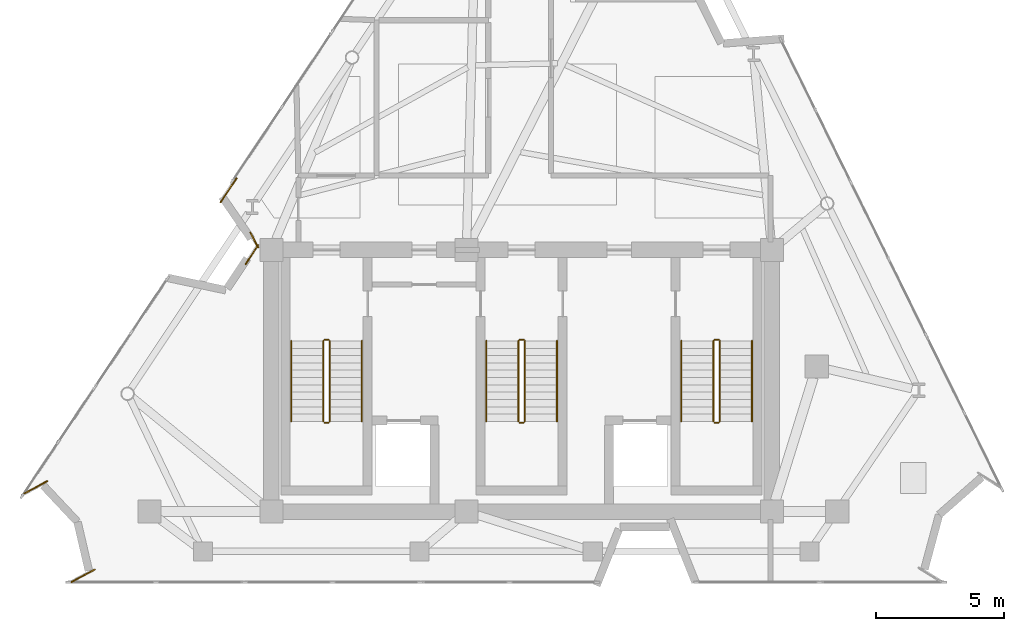
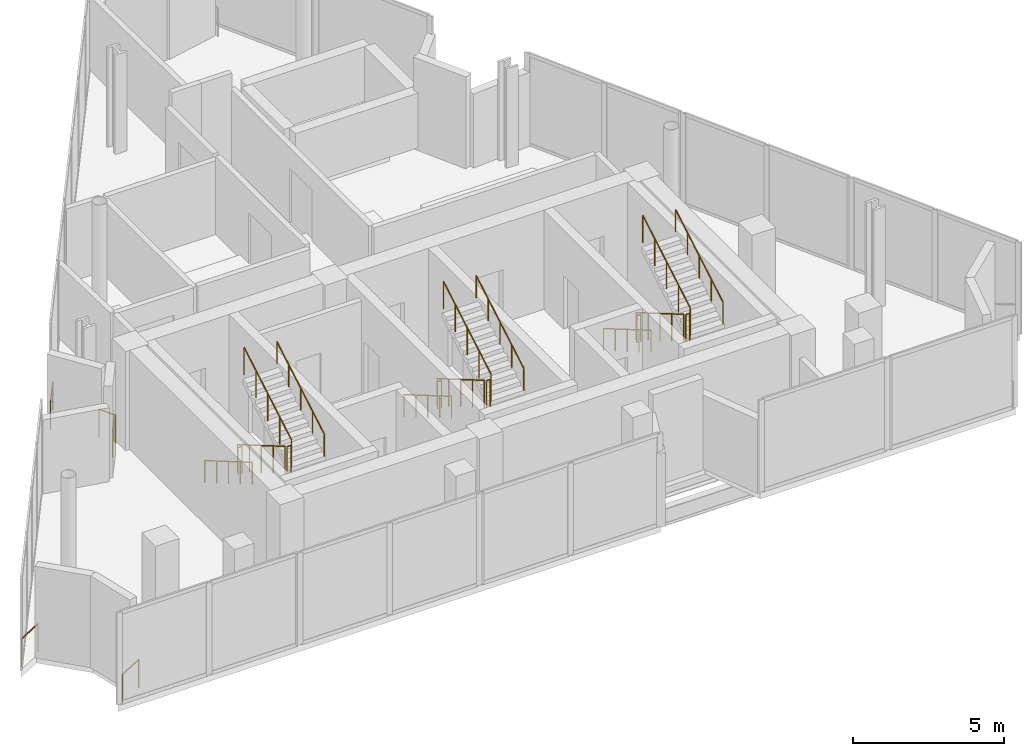
# One storey, part 8 of 9: 23 railings.
"""IFC4 building model written with IfcOpenShell, lengths in metres."""

from ifc_helpers import new_model, si_unit, direction, frame, origin, origin_2d, place, context, subcontext, project, spatial, circle, extrude, material, type_object, element, save


model = new_model("IFC4")

# Units and contexts
model_context = context("Model", 3, precision=1e-05, world=origin(), true_north=direction((0.0, 1.0)))
body_context = subcontext(model_context, "Body", "Model", "MODEL_VIEW")
ifc_project = project(units=[si_unit("LENGTHUNIT", "METRE"), si_unit("AREAUNIT", "SQUARE_METRE"), si_unit("VOLUMEUNIT", "CUBIC_METRE"), si_unit("PLANEANGLEUNIT", "RADIAN"), si_unit("MASSUNIT", "GRAM", prefix="KILO")], contexts=[model_context])

# Site, building, storey
site_placement = place(None, origin())
site = spatial("IfcSite", under=ifc_project, at=site_placement, CompositionType="ELEMENT")
building_placement = place(site_placement, origin())
building = spatial("IfcBuilding", under=site, at=building_placement, Name="Almagre Mirador Tower", CompositionType="ELEMENT")
storey_placement = place(building_placement, frame((0.0, 0.0, 306.5)))
storey = spatial("IfcBuildingStorey", under=building, at=storey_placement, Name="L79", CompositionType="ELEMENT", Elevation=306.5)

# Railings
ifc_material_1 = material(Name="Black anodized aluminium", Category="aluminium")
railing_type_1 = type_object("IfcRailingType", Name="RLG-BAL-1150", PredefinedType="BALUSTRADE", material=ifc_material_1)
railing_1_placement = place(storey_placement, frame((26.544921875, 14.189453125, 0.0)))
element("IfcRailing", 1, at=railing_1_placement, inside=storey, type_object=railing_type_1, Name="L79 perimeter edge balustrade 01", PredefinedType="BALUSTRADE", context=body_context, shape_type="SweptSolid", body=[
    extrude(circle(Radius=0.02392578125, at=origin_2d()), frame((0.0, 0.0, 1.1259765625), z_axis=(0.546609205672, 0.83738782907, 0.0), x_axis=(-0.83738782907, 0.546609205672, 0.0)), (0.0, 0.0, 1.0), 0.894287109375),
    extrude(circle(Radius=0.02099609375, at=origin_2d()), origin(), (0.0, 0.0, 1.0), 1.101806640625),
    extrude(circle(Radius=0.02099609375, at=origin_2d()), frame((0.48876953125, 0.748779296875, 0.0)), (0.0, 0.0, 1.0), 1.101806640625),
])
railing_2_placement = place(storey_placement, frame((27.029541015625, 14.851806640625, 0.0)))
element("IfcRailing", 2, at=railing_2_placement, inside=storey, type_object=railing_type_1, Name="L79 perimeter edge balustrade 02", PredefinedType="BALUSTRADE", context=body_context, shape_type="SweptSolid", body=[
    extrude(circle(Radius=0.02392578125, at=origin_2d()), frame((0.0, 0.0, 1.1259765625), z_axis=(-0.459546084139, 0.88815392616, 0.0), x_axis=(-0.88815392616, -0.459546084139, 0.0)), (0.0, 0.0, 1.0), 0.64697265625),
    extrude(circle(Radius=0.02099609375, at=origin_2d()), origin(), (0.0, 0.0, 1.0), 1.101806640625),
    extrude(circle(Radius=0.02099609375, at=origin_2d()), frame((-0.29736328125, 0.57470703125, 0.0)), (0.0, 0.0, 1.0), 1.101806640625),
])
railing_3_placement = place(storey_placement, frame((25.5673828125, 16.603759765625, 0.0)))
element("IfcRailing", 3, at=railing_3_placement, inside=storey, type_object=railing_type_1, Name="L79 perimeter edge balustrade 03", PredefinedType="BALUSTRADE", context=body_context, shape_type="SweptSolid", body=[
    extrude(circle(Radius=0.02392578125, at=origin_2d()), frame((0.0, 0.0, 1.1259765625), z_axis=(0.55505080028, 0.831816451574, 0.0), x_axis=(-0.831816451574, 0.55505080028, 0.0)), (0.0, 0.0, 1.0), 1.124755859375),
    extrude(circle(Radius=0.02099609375, at=origin_2d()), origin(), (0.0, 0.0, 1.0), 1.101806640625),
    extrude(circle(Radius=0.02099609375, at=origin_2d()), frame((0.624267578125, 0.935546875, 0.0)), (0.0, 0.0, 1.0), 1.101806640625),
])
railing_4_placement = place(storey_placement, frame((19.74951171875, 1.800537109375, 0.0)))
element("IfcRailing", 4, at=railing_4_placement, inside=storey, type_object=railing_type_1, Name="L79 perimeter edge balustrade 08", PredefinedType="BALUSTRADE", context=body_context, shape_type="SweptSolid", body=[
    extrude(circle(Radius=0.02392578125, at=origin_2d()), frame((0.0, 0.0, 1.1259765625), z_axis=(0.881494030228, 0.472195165871, 0.0), x_axis=(-0.472195165871, 0.881494030228, 0.0)), (0.0, 0.0, 1.0), 1.032470703125),
    extrude(circle(Radius=0.02099609375, at=origin_2d()), origin(), (0.0, 0.0, 1.0), 1.101806640625),
    extrude(circle(Radius=0.02099609375, at=origin_2d()), frame((0.91015625, 0.487548828125, 0.0)), (0.0, 0.0, 1.0), 1.101806640625),
])
railing_5_placement = place(storey_placement, frame((18.814697265625, 5.7373046875, 0.0)))
element("IfcRailing", 5, at=railing_5_placement, inside=storey, type_object=railing_type_1, Name="L79 perimeter edge balustrade 09", PredefinedType="BALUSTRADE", context=body_context, shape_type="SweptSolid", body=[
    extrude(circle(Radius=0.02392578125, at=origin_2d()), frame((0.0, 0.0, 1.1259765625), z_axis=(-0.881985926768, -0.471275741985, 0.0), x_axis=(0.471275741985, -0.881985926768, 0.0)), (0.0, 0.0, 1.0), 1.031982421875),
    extrude(circle(Radius=0.02099609375, at=origin_2d()), origin(), (0.0, 0.0, 1.0), 1.101806640625),
    extrude(circle(Radius=0.02099609375, at=origin_2d()), frame((-0.91015625, -0.486328125, 0.0)), (0.0, 0.0, 1.0), 1.101806640625),
])
ifc_material_2 = material(Name="Painted galvanized steel", Category="steel")
railing_type_2 = type_object("IfcRailingType", Name="RLG-GRD-1100", PredefinedType="GUARDRAIL", material=ifc_material_2)
railing_6_placement = place(storey_placement, frame((29.574951171875, 11.199951171875, 0.166748046875)))
element("IfcRailing", 6, at=railing_6_placement, inside=storey, type_object=railing_type_2, Name="L79 ST-1 stair guard 1", PredefinedType="GUARDRAIL", context=body_context, shape_type="SweptSolid", body=[
    extrude(circle(Radius=0.02392578125, at=origin_2d()), frame((0.0, 0.0, 1.09619140625), z_axis=(0.0, -0.863239559939, 0.504794475164), x_axis=(1.0, 0.0, 0.0)), (0.0, 0.0, 1.0), 3.631591796875),
    extrude(circle(Radius=0.02099609375, at=origin_2d()), origin(), (0.0, 0.0, 1.0), 1.072021484375),
    extrude(circle(Radius=0.02099609375, at=origin_2d()), frame((0.0, -0.78369140625, 0.458251953125)), (0.0, 0.0, 1.0), 1.072021484375),
    extrude(circle(Radius=0.02099609375, at=origin_2d()), frame((0.0, -1.5673828125, 0.91650390625)), (0.0, 0.0, 1.0), 1.072021484375),
    extrude(circle(Radius=0.02099609375, at=origin_2d()), frame((0.0, -2.351318359375, 1.375)), (0.0, 0.0, 1.0), 1.072021484375),
    extrude(circle(Radius=0.02099609375, at=origin_2d()), frame((0.0, -3.135009765625, 1.833251953125)), (0.0, 0.0, 1.0), 1.072021484375),
])
railing_7_placement = place(storey_placement, frame((29.625, 8.014892578125, 2.0)))
element("IfcRailing", 7, at=railing_7_placement, inside=storey, type_object=railing_type_2, Name="L79 ST-1 stair guard 2", PredefinedType="GUARDRAIL", context=body_context, shape_type="SweptSolid", body=[
    extrude(circle(Radius=0.02392578125, at=origin_2d()), frame((0.0, 0.0, 1.09619140625), z_axis=(1.0, 0.0, 0.0), x_axis=(0.0, 1.0, 0.0)), (0.0, 0.0, 1.0), 0.14990234375),
    extrude(circle(Radius=0.02099609375, at=origin_2d()), origin(), (0.0, 0.0, 1.0), 1.072021484375),
    extrude(circle(Radius=0.02099609375, at=origin_2d()), frame((0.14990234375, 0.0, 0.0)), (0.0, 0.0, 1.0), 1.072021484375),
])
railing_8_placement = place(storey_placement, frame((29.824951171875, 8.06494140625, 2.166748046875)))
element("IfcRailing", 8, at=railing_8_placement, inside=storey, type_object=railing_type_2, Name="L79 ST-1 stair guard 3", PredefinedType="GUARDRAIL", context=body_context, shape_type="SweptSolid", body=[
    extrude(circle(Radius=0.02392578125, at=origin_2d()), frame((0.0, 0.0, 1.09619140625), z_axis=(0.0, 0.863239559939, 0.504794475164), x_axis=(-1.0, 0.0, 0.0)), (0.0, 0.0, 1.0), 3.631591796875),
    extrude(circle(Radius=0.02099609375, at=origin_2d()), origin(), (0.0, 0.0, 1.0), 1.072021484375),
    extrude(circle(Radius=0.02099609375, at=origin_2d()), frame((0.0, 0.78369140625, 0.458251953125)), (0.0, 0.0, 1.0), 1.072021484375),
    extrude(circle(Radius=0.02099609375, at=origin_2d()), frame((0.0, 1.5673828125, 0.91650390625)), (0.0, 0.0, 1.0), 1.072021484375),
    extrude(circle(Radius=0.02099609375, at=origin_2d()), frame((0.0, 2.351318359375, 1.375)), (0.0, 0.0, 1.0), 1.072021484375),
    extrude(circle(Radius=0.02099609375, at=origin_2d()), frame((0.0, 3.135009765625, 1.833251953125)), (0.0, 0.0, 1.0), 1.072021484375),
])
railing_9_placement = place(storey_placement, frame((29.625, 11.25, 0.0)))
element("IfcRailing", 9, at=railing_9_placement, inside=storey, type_object=railing_type_2, Name="L79 ST-1 stair guard 4", PredefinedType="GUARDRAIL", context=body_context, shape_type="SweptSolid", body=[
    extrude(circle(Radius=0.02392578125, at=origin_2d()), frame((0.0, 0.0, 1.09619140625), z_axis=(1.0, 0.0, 0.0), x_axis=(0.0, 1.0, 0.0)), (0.0, 0.0, 1.0), 0.14990234375),
    extrude(circle(Radius=0.02099609375, at=origin_2d()), origin(), (0.0, 0.0, 1.0), 1.072021484375),
    extrude(circle(Radius=0.02099609375, at=origin_2d()), frame((0.14990234375, 0.0, 0.0)), (0.0, 0.0, 1.0), 1.072021484375),
])
railing_10_placement = place(storey_placement, frame((37.175048828125, 11.199951171875, 0.166748046875)))
element("IfcRailing", 10, at=railing_10_placement, inside=storey, type_object=railing_type_2, Name="L79 ST-2 stair guard 1", PredefinedType="GUARDRAIL", context=body_context, shape_type="SweptSolid", body=[
    extrude(circle(Radius=0.02392578125, at=origin_2d()), frame((0.0, 0.0, 1.09619140625), z_axis=(0.0, -0.863239559939, 0.504794475164), x_axis=(1.0, 0.0, 0.0)), (0.0, 0.0, 1.0), 3.631591796875),
    extrude(circle(Radius=0.02099609375, at=origin_2d()), origin(), (0.0, 0.0, 1.0), 1.072021484375),
    extrude(circle(Radius=0.02099609375, at=origin_2d()), frame((0.0, -0.78369140625, 0.458251953125)), (0.0, 0.0, 1.0), 1.072021484375),
    extrude(circle(Radius=0.02099609375, at=origin_2d()), frame((0.0, -1.5673828125, 0.91650390625)), (0.0, 0.0, 1.0), 1.072021484375),
    extrude(circle(Radius=0.02099609375, at=origin_2d()), frame((0.0, -2.351318359375, 1.375)), (0.0, 0.0, 1.0), 1.072021484375),
    extrude(circle(Radius=0.02099609375, at=origin_2d()), frame((0.0, -3.135009765625, 1.833251953125)), (0.0, 0.0, 1.0), 1.072021484375),
])
railing_11_placement = place(storey_placement, frame((37.22509765625, 8.014892578125, 2.0)))
element("IfcRailing", 11, at=railing_11_placement, inside=storey, type_object=railing_type_2, Name="L79 ST-2 stair guard 2", PredefinedType="GUARDRAIL", context=body_context, shape_type="SweptSolid", body=[
    extrude(circle(Radius=0.02392578125, at=origin_2d()), frame((0.0, 0.0, 1.09619140625), z_axis=(1.0, 0.0, 0.0), x_axis=(0.0, 1.0, 0.0)), (0.0, 0.0, 1.0), 0.14990234375),
    extrude(circle(Radius=0.02099609375, at=origin_2d()), origin(), (0.0, 0.0, 1.0), 1.072021484375),
    extrude(circle(Radius=0.02099609375, at=origin_2d()), frame((0.14990234375, 0.0, 0.0)), (0.0, 0.0, 1.0), 1.072021484375),
])
railing_12_placement = place(storey_placement, frame((37.425048828125, 8.06494140625, 2.166748046875)))
element("IfcRailing", 12, at=railing_12_placement, inside=storey, type_object=railing_type_2, Name="L79 ST-2 stair guard 3", PredefinedType="GUARDRAIL", context=body_context, shape_type="SweptSolid", body=[
    extrude(circle(Radius=0.02392578125, at=origin_2d()), frame((0.0, 0.0, 1.09619140625), z_axis=(0.0, 0.863239559939, 0.504794475164), x_axis=(-1.0, 0.0, 0.0)), (0.0, 0.0, 1.0), 3.631591796875),
    extrude(circle(Radius=0.02099609375, at=origin_2d()), origin(), (0.0, 0.0, 1.0), 1.072021484375),
    extrude(circle(Radius=0.02099609375, at=origin_2d()), frame((0.0, 0.78369140625, 0.458251953125)), (0.0, 0.0, 1.0), 1.072021484375),
    extrude(circle(Radius=0.02099609375, at=origin_2d()), frame((0.0, 1.5673828125, 0.91650390625)), (0.0, 0.0, 1.0), 1.072021484375),
    extrude(circle(Radius=0.02099609375, at=origin_2d()), frame((0.0, 2.351318359375, 1.375)), (0.0, 0.0, 1.0), 1.072021484375),
    extrude(circle(Radius=0.02099609375, at=origin_2d()), frame((0.0, 3.135009765625, 1.833251953125)), (0.0, 0.0, 1.0), 1.072021484375),
])
railing_13_placement = place(storey_placement, frame((37.22509765625, 11.25, 0.0)))
element("IfcRailing", 13, at=railing_13_placement, inside=storey, type_object=railing_type_2, Name="L79 ST-2 stair guard 4", PredefinedType="GUARDRAIL", context=body_context, shape_type="SweptSolid", body=[
    extrude(circle(Radius=0.02392578125, at=origin_2d()), frame((0.0, 0.0, 1.09619140625), z_axis=(1.0, 0.0, 0.0), x_axis=(0.0, 1.0, 0.0)), (0.0, 0.0, 1.0), 0.14990234375),
    extrude(circle(Radius=0.02099609375, at=origin_2d()), origin(), (0.0, 0.0, 1.0), 1.072021484375),
    extrude(circle(Radius=0.02099609375, at=origin_2d()), frame((0.14990234375, 0.0, 0.0)), (0.0, 0.0, 1.0), 1.072021484375),
])
railing_14_placement = place(storey_placement, frame((44.77490234375, 11.199951171875, 0.166748046875)))
element("IfcRailing", 14, at=railing_14_placement, inside=storey, type_object=railing_type_2, Name="L79 ST-3 stair guard 1", PredefinedType="GUARDRAIL", context=body_context, shape_type="SweptSolid", body=[
    extrude(circle(Radius=0.02392578125, at=origin_2d()), frame((0.0, 0.0, 1.09619140625), z_axis=(0.0, -0.863239559939, 0.504794475164), x_axis=(1.0, 0.0, 0.0)), (0.0, 0.0, 1.0), 3.631591796875),
    extrude(circle(Radius=0.02099609375, at=origin_2d()), origin(), (0.0, 0.0, 1.0), 1.072021484375),
    extrude(circle(Radius=0.02099609375, at=origin_2d()), frame((0.0, -0.78369140625, 0.458251953125)), (0.0, 0.0, 1.0), 1.072021484375),
    extrude(circle(Radius=0.02099609375, at=origin_2d()), frame((0.0, -1.5673828125, 0.91650390625)), (0.0, 0.0, 1.0), 1.072021484375),
    extrude(circle(Radius=0.02099609375, at=origin_2d()), frame((0.0, -2.351318359375, 1.375)), (0.0, 0.0, 1.0), 1.072021484375),
    extrude(circle(Radius=0.02099609375, at=origin_2d()), frame((0.0, -3.135009765625, 1.833251953125)), (0.0, 0.0, 1.0), 1.072021484375),
])
railing_15_placement = place(storey_placement, frame((44.824951171875, 8.014892578125, 2.0)))
element("IfcRailing", 15, at=railing_15_placement, inside=storey, type_object=railing_type_2, Name="L79 ST-3 stair guard 2", PredefinedType="GUARDRAIL", context=body_context, shape_type="SweptSolid", body=[
    extrude(circle(Radius=0.02392578125, at=origin_2d()), frame((0.0, 0.0, 1.09619140625), z_axis=(1.0, 0.0, 0.0), x_axis=(0.0, 1.0, 0.0)), (0.0, 0.0, 1.0), 0.150146484375),
    extrude(circle(Radius=0.02099609375, at=origin_2d()), origin(), (0.0, 0.0, 1.0), 1.072021484375),
    extrude(circle(Radius=0.02099609375, at=origin_2d()), frame((0.150146484375, 0.0, 0.0)), (0.0, 0.0, 1.0), 1.072021484375),
])
railing_16_placement = place(storey_placement, frame((45.02490234375, 8.06494140625, 2.166748046875)))
element("IfcRailing", 16, at=railing_16_placement, inside=storey, type_object=railing_type_2, Name="L79 ST-3 stair guard 3", PredefinedType="GUARDRAIL", context=body_context, shape_type="SweptSolid", body=[
    extrude(circle(Radius=0.02392578125, at=origin_2d()), frame((0.0, 0.0, 1.09619140625), z_axis=(0.0, 0.863239559939, 0.504794475164), x_axis=(-1.0, 0.0, 0.0)), (0.0, 0.0, 1.0), 3.631591796875),
    extrude(circle(Radius=0.02099609375, at=origin_2d()), origin(), (0.0, 0.0, 1.0), 1.072021484375),
    extrude(circle(Radius=0.02099609375, at=origin_2d()), frame((0.0, 0.78369140625, 0.458251953125)), (0.0, 0.0, 1.0), 1.072021484375),
    extrude(circle(Radius=0.02099609375, at=origin_2d()), frame((0.0, 1.5673828125, 0.91650390625)), (0.0, 0.0, 1.0), 1.072021484375),
    extrude(circle(Radius=0.02099609375, at=origin_2d()), frame((0.0, 2.351318359375, 1.375)), (0.0, 0.0, 1.0), 1.072021484375),
    extrude(circle(Radius=0.02099609375, at=origin_2d()), frame((0.0, 3.135009765625, 1.833251953125)), (0.0, 0.0, 1.0), 1.072021484375),
])
railing_17_placement = place(storey_placement, frame((44.824951171875, 11.25, 0.0)))
element("IfcRailing", 17, at=railing_17_placement, inside=storey, type_object=railing_type_2, Name="L79 ST-3 stair guard 4", PredefinedType="GUARDRAIL", context=body_context, shape_type="SweptSolid", body=[
    extrude(circle(Radius=0.02392578125, at=origin_2d()), frame((0.0, 0.0, 1.09619140625), z_axis=(1.0, 0.0, 0.0), x_axis=(0.0, 1.0, 0.0)), (0.0, 0.0, 1.0), 0.150146484375),
    extrude(circle(Radius=0.02099609375, at=origin_2d()), origin(), (0.0, 0.0, 1.0), 1.072021484375),
    extrude(circle(Radius=0.02099609375, at=origin_2d()), frame((0.150146484375, 0.0, 0.0)), (0.0, 0.0, 1.0), 1.072021484375),
])
ifc_material_3 = material(Name="Brushed stainless steel", Category="steel")
railing_type_3 = type_object("IfcRailingType", Name="RLG-HND-915", PredefinedType="HANDRAIL", material=ifc_material_3)
railing_18_placement = place(storey_placement, frame((28.324951171875, 11.199951171875, 0.166748046875)))
element("IfcRailing", 18, at=railing_18_placement, inside=storey, type_object=railing_type_3, Name="L79 ST-1 stair handrail 1", PredefinedType="HANDRAIL", context=body_context, shape_type="SweptSolid", body=[
    extrude(circle(Radius=0.02392578125, at=origin_2d()), frame((0.0, 0.0, 0.89111328125), z_axis=(0.0, -0.863239559939, 0.504794475164), x_axis=(1.0, 0.0, 0.0)), (0.0, 0.0, 1.0), 3.631591796875),
    extrude(circle(Radius=0.02099609375, at=origin_2d()), origin(), (0.0, 0.0, 1.0), 0.866943359375),
    extrude(circle(Radius=0.02099609375, at=origin_2d()), frame((0.0, -0.78369140625, 0.458251953125)), (0.0, 0.0, 1.0), 0.866943359375),
    extrude(circle(Radius=0.02099609375, at=origin_2d()), frame((0.0, -1.5673828125, 0.91650390625)), (0.0, 0.0, 1.0), 0.866943359375),
    extrude(circle(Radius=0.02099609375, at=origin_2d()), frame((0.0, -2.351318359375, 1.375)), (0.0, 0.0, 1.0), 0.866943359375),
    extrude(circle(Radius=0.02099609375, at=origin_2d()), frame((0.0, -3.135009765625, 1.833251953125)), (0.0, 0.0, 1.0), 0.866943359375),
])
railing_19_placement = place(storey_placement, frame((31.074951171875, 8.06494140625, 2.166748046875)))
element("IfcRailing", 19, at=railing_19_placement, inside=storey, type_object=railing_type_3, Name="L79 ST-1 stair handrail 2", PredefinedType="HANDRAIL", context=body_context, shape_type="SweptSolid", body=[
    extrude(circle(Radius=0.02392578125, at=origin_2d()), frame((0.0, 0.0, 0.89111328125), z_axis=(0.0, 0.863239559939, 0.504794475164), x_axis=(-1.0, 0.0, 0.0)), (0.0, 0.0, 1.0), 3.631591796875),
    extrude(circle(Radius=0.02099609375, at=origin_2d()), origin(), (0.0, 0.0, 1.0), 0.866943359375),
    extrude(circle(Radius=0.02099609375, at=origin_2d()), frame((0.0, 0.78369140625, 0.458251953125)), (0.0, 0.0, 1.0), 0.866943359375),
    extrude(circle(Radius=0.02099609375, at=origin_2d()), frame((0.0, 1.5673828125, 0.91650390625)), (0.0, 0.0, 1.0), 0.866943359375),
    extrude(circle(Radius=0.02099609375, at=origin_2d()), frame((0.0, 2.351318359375, 1.375)), (0.0, 0.0, 1.0), 0.866943359375),
    extrude(circle(Radius=0.02099609375, at=origin_2d()), frame((0.0, 3.135009765625, 1.833251953125)), (0.0, 0.0, 1.0), 0.866943359375),
])
railing_20_placement = place(storey_placement, frame((35.925048828125, 11.199951171875, 0.166748046875)))
element("IfcRailing", 20, at=railing_20_placement, inside=storey, type_object=railing_type_3, Name="L79 ST-2 stair handrail 1", PredefinedType="HANDRAIL", context=body_context, shape_type="SweptSolid", body=[
    extrude(circle(Radius=0.02392578125, at=origin_2d()), frame((0.0, 0.0, 0.89111328125), z_axis=(0.0, -0.863239559939, 0.504794475164), x_axis=(1.0, 0.0, 0.0)), (0.0, 0.0, 1.0), 3.631591796875),
    extrude(circle(Radius=0.02099609375, at=origin_2d()), origin(), (0.0, 0.0, 1.0), 0.866943359375),
    extrude(circle(Radius=0.02099609375, at=origin_2d()), frame((0.0, -0.78369140625, 0.458251953125)), (0.0, 0.0, 1.0), 0.866943359375),
    extrude(circle(Radius=0.02099609375, at=origin_2d()), frame((0.0, -1.5673828125, 0.91650390625)), (0.0, 0.0, 1.0), 0.866943359375),
    extrude(circle(Radius=0.02099609375, at=origin_2d()), frame((0.0, -2.351318359375, 1.375)), (0.0, 0.0, 1.0), 0.866943359375),
    extrude(circle(Radius=0.02099609375, at=origin_2d()), frame((0.0, -3.135009765625, 1.833251953125)), (0.0, 0.0, 1.0), 0.866943359375),
])
railing_21_placement = place(storey_placement, frame((38.675048828125, 8.06494140625, 2.166748046875)))
element("IfcRailing", 21, at=railing_21_placement, inside=storey, type_object=railing_type_3, Name="L79 ST-2 stair handrail 2", PredefinedType="HANDRAIL", context=body_context, shape_type="SweptSolid", body=[
    extrude(circle(Radius=0.02392578125, at=origin_2d()), frame((0.0, 0.0, 0.89111328125), z_axis=(0.0, 0.863239559939, 0.504794475164), x_axis=(-1.0, 0.0, 0.0)), (0.0, 0.0, 1.0), 3.631591796875),
    extrude(circle(Radius=0.02099609375, at=origin_2d()), origin(), (0.0, 0.0, 1.0), 0.866943359375),
    extrude(circle(Radius=0.02099609375, at=origin_2d()), frame((0.0, 0.78369140625, 0.458251953125)), (0.0, 0.0, 1.0), 0.866943359375),
    extrude(circle(Radius=0.02099609375, at=origin_2d()), frame((0.0, 1.5673828125, 0.91650390625)), (0.0, 0.0, 1.0), 0.866943359375),
    extrude(circle(Radius=0.02099609375, at=origin_2d()), frame((0.0, 2.351318359375, 1.375)), (0.0, 0.0, 1.0), 0.866943359375),
    extrude(circle(Radius=0.02099609375, at=origin_2d()), frame((0.0, 3.135009765625, 1.833251953125)), (0.0, 0.0, 1.0), 0.866943359375),
])
railing_22_placement = place(storey_placement, frame((43.52490234375, 11.199951171875, 0.166748046875)))
element("IfcRailing", 22, at=railing_22_placement, inside=storey, type_object=railing_type_3, Name="L79 ST-3 stair handrail 1", PredefinedType="HANDRAIL", context=body_context, shape_type="SweptSolid", body=[
    extrude(circle(Radius=0.02392578125, at=origin_2d()), frame((0.0, 0.0, 0.89111328125), z_axis=(0.0, -0.863239559939, 0.504794475164), x_axis=(1.0, 0.0, 0.0)), (0.0, 0.0, 1.0), 3.631591796875),
    extrude(circle(Radius=0.02099609375, at=origin_2d()), origin(), (0.0, 0.0, 1.0), 0.866943359375),
    extrude(circle(Radius=0.02099609375, at=origin_2d()), frame((0.0, -0.78369140625, 0.458251953125)), (0.0, 0.0, 1.0), 0.866943359375),
    extrude(circle(Radius=0.02099609375, at=origin_2d()), frame((0.0, -1.5673828125, 0.91650390625)), (0.0, 0.0, 1.0), 0.866943359375),
    extrude(circle(Radius=0.02099609375, at=origin_2d()), frame((0.0, -2.351318359375, 1.375)), (0.0, 0.0, 1.0), 0.866943359375),
    extrude(circle(Radius=0.02099609375, at=origin_2d()), frame((0.0, -3.135009765625, 1.833251953125)), (0.0, 0.0, 1.0), 0.866943359375),
])
railing_23_placement = place(storey_placement, frame((46.27490234375, 8.06494140625, 2.166748046875)))
element("IfcRailing", 23, at=railing_23_placement, inside=storey, type_object=railing_type_3, Name="L79 ST-3 stair handrail 2", PredefinedType="HANDRAIL", context=body_context, shape_type="SweptSolid", body=[
    extrude(circle(Radius=0.02392578125, at=origin_2d()), frame((0.0, 0.0, 0.89111328125), z_axis=(0.0, 0.863239559939, 0.504794475164), x_axis=(-1.0, 0.0, 0.0)), (0.0, 0.0, 1.0), 3.631591796875),
    extrude(circle(Radius=0.02099609375, at=origin_2d()), origin(), (0.0, 0.0, 1.0), 0.866943359375),
    extrude(circle(Radius=0.02099609375, at=origin_2d()), frame((0.0, 0.78369140625, 0.458251953125)), (0.0, 0.0, 1.0), 0.866943359375),
    extrude(circle(Radius=0.02099609375, at=origin_2d()), frame((0.0, 1.5673828125, 0.91650390625)), (0.0, 0.0, 1.0), 0.866943359375),
    extrude(circle(Radius=0.02099609375, at=origin_2d()), frame((0.0, 2.351318359375, 1.375)), (0.0, 0.0, 1.0), 0.866943359375),
    extrude(circle(Radius=0.02099609375, at=origin_2d()), frame((0.0, 3.135009765625, 1.833251953125)), (0.0, 0.0, 1.0), 0.866943359375),
])

save(model, "model.ifc")
